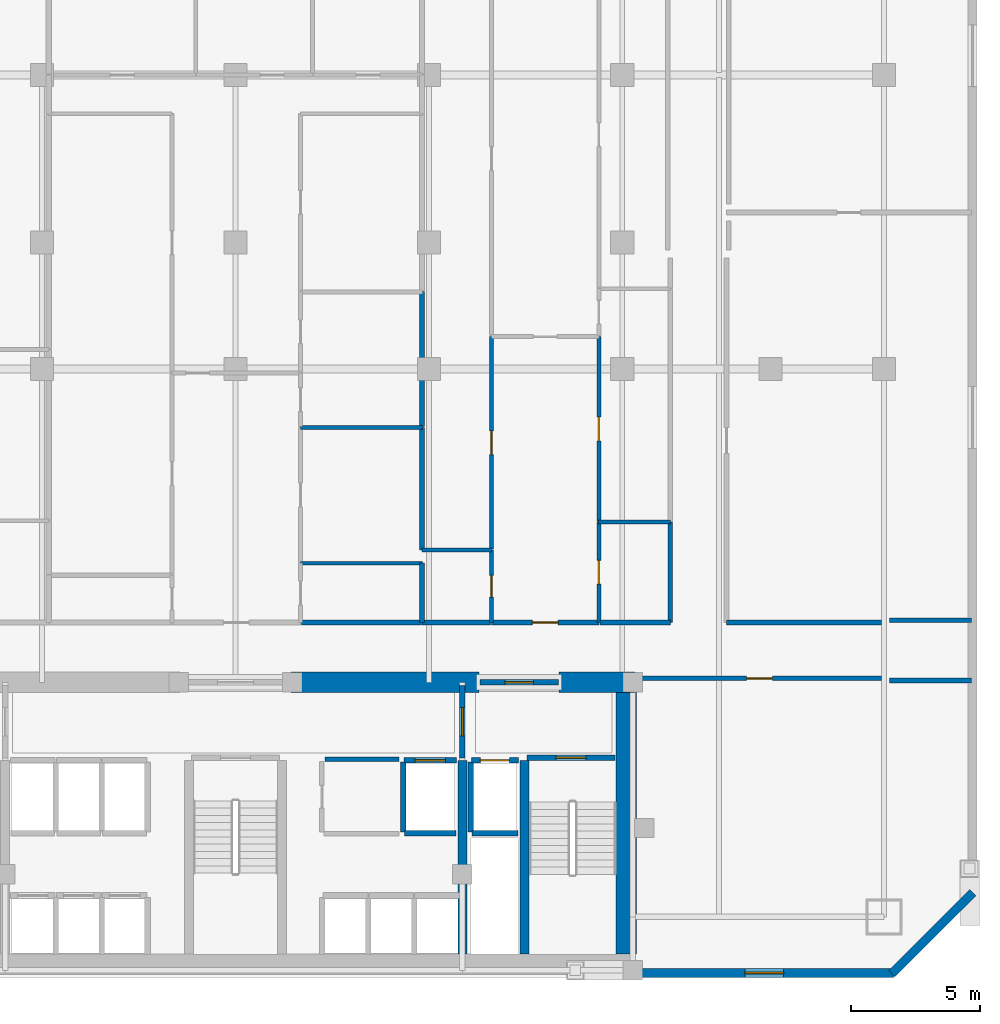
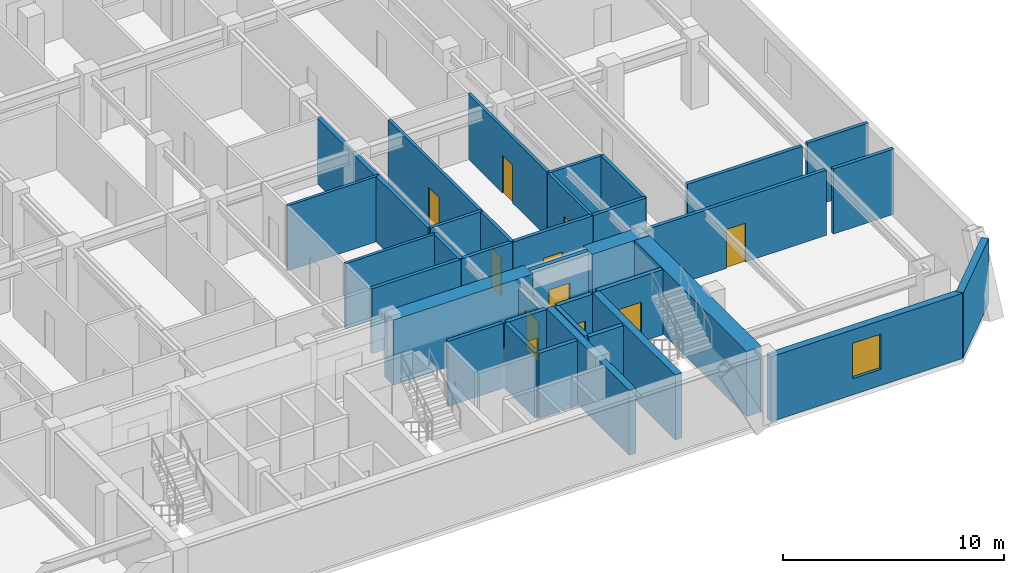
# One storey, part 5 of 10: 37 walls, 11 doors, 1 window, 12 openings.
"""IFC4 building model written with IfcOpenShell, lengths in metres."""

from ifc_helpers import new_model, si_unit, direction, frame, frame_2d, origin, place, context, subcontext, project, spatial, rectangle, extrude, material, layer, layer_set, type_object, element, fill, save


model = new_model("IFC4")

# Units and contexts
model_context = context("Model", 3, precision=1e-05, world=origin(), true_north=direction((0.0, 1.0)))
body_context = subcontext(model_context, "Body", "Model", "MODEL_VIEW")
ifc_project = project(units=[si_unit("LENGTHUNIT", "METRE"), si_unit("AREAUNIT", "SQUARE_METRE"), si_unit("VOLUMEUNIT", "CUBIC_METRE"), si_unit("PLANEANGLEUNIT", "RADIAN"), si_unit("MASSUNIT", "GRAM", prefix="KILO")], contexts=[model_context])

# Site, building, storey
site_placement = place(None, origin())
site = spatial("IfcSite", under=ifc_project, at=site_placement, CompositionType="ELEMENT")
building_placement = place(site_placement, origin())
building = spatial("IfcBuilding", under=site, at=building_placement, Name="Ventersveld Concourse Tower", CompositionType="ELEMENT")
storey_placement = place(building_placement, frame((0.0, 0.0, 60.60009765625)))
storey = spatial("IfcBuildingStorey", under=building, at=storey_placement, Name="L14", CompositionType="ELEMENT", Elevation=60.60009765625)

# Walls
ifc_material_1 = material(Name="Concrete C60/75", Category="concrete")
ifc_layer_1 = layer(ifc_material_1, 0.35009765625)
ifc_layer_set_1 = layer_set([ifc_layer_1], Name="Concrete C60/75")
wall_type_1 = type_object("IfcWallType", Name="WL-CORE-350L", PredefinedType="SHEAR", material=ifc_layer_set_1)
for number, where, z_axis, x_axis, name in (
    (1, (37.550048828125, 0.919921875, 0.0), (0.0, 0.0, 1.0), (0.0, 1.0, 0.0), "L14 Core Internal Shear Web W-SVL-W"),
    (2, (39.9599609375, 0.919921875, 0.0), (0.0, 0.0, 1.0), (0.0, 1.0, 0.0), "L14 Core Internal Shear Web W-ST2-W"),
):
    element("IfcWall", number, at=place(storey_placement, frame(where, z_axis=z_axis, x_axis=x_axis)), inside=storey, type_object=wall_type_1, Name=name, PredefinedType="SHEAR", context=body_context, shape_type="SweptSolid", body=[
        extrude(rectangle(XDim=7.5, YDim=0.35009765625, at=frame_2d((3.75, 0.0))), origin(), (0.0, 0.0, 1.0), 3.599853515625),
    ])
ifc_layer_2 = layer(ifc_material_1, 0.800048828125)
ifc_layer_set_2 = layer_set([ifc_layer_2], Name="Concrete C60/75")
wall_type_2 = type_object("IfcWallType", Name="WL-CORE-800", PredefinedType="SHEAR", material=ifc_layer_set_2)
wall_1_placement = place(storey_placement, frame((43.89990234375, 0.919921875, 0.0), z_axis=(0.0, 0.0, 1.0), x_axis=(0.0, 1.0, 0.0)))
element("IfcWall", 3, at=wall_1_placement, inside=storey, type_object=wall_type_2, Name="L14 Rear Core East Shear Wall", PredefinedType="SHEAR", context=body_context, shape_type="SweptSolid", body=[
    extrude(rectangle(XDim=10.530029296875, YDim=0.800048828125, at=frame_2d((5.26513671875, 0.0))), origin(), (0.0, 0.0, 1.0), 3.599853515625),
])
wall_2_placement = place(storey_placement, frame((30.89990234375, 11.449951171875, 0.0), z_axis=(0.0, 0.0, 1.0), x_axis=(1.0, 0.0, 0.0)))
element("IfcWall", 4, at=wall_2_placement, inside=storey, type_object=wall_type_2, Name="L14 Rear Core North Shear Wall NMR", PredefinedType="SHEAR", context=body_context, shape_type="SweptSolid", body=[
    extrude(rectangle(XDim=7.300048828125, YDim=0.800048828125, at=frame_2d((3.64990234375, 0.0))), origin(), (0.0, 0.0, 1.0), 3.599853515625),
])
wall_3_placement = place(storey_placement, frame((41.300048828125, 11.449951171875, 0.0), z_axis=(0.0, 0.0, 1.0), x_axis=(1.0, 0.0, 0.0)))
element("IfcWall", 5, at=wall_3_placement, inside=storey, type_object=wall_type_2, Name="L14 Rear Core North Shear Wall NE", PredefinedType="SHEAR", context=body_context, shape_type="SweptSolid", body=[
    extrude(rectangle(XDim=2.949951171875, YDim=0.800048828125, at=frame_2d((1.47509765625, 0.0))), origin(), (0.0, 0.0, 1.0), 3.599853515625),
])
ifc_material_2 = material(Name="Fire-rated autoclaved aerated masonry blockwork", Category="masonry")
ifc_layer_3 = layer(ifc_material_2, 0.179931640625)
ifc_layer_set_3 = layer_set([ifc_layer_3], Name="Fire-rated autoclaved aerated masonry blockwork")
wall_type_3 = type_object("IfcWallType", Name="WL-CORR-180", PredefinedType="PARTITIONING", material=ifc_layer_set_3)
wall_4_placement = place(storey_placement, frame((32.219970703125, 8.4599609375, 0.0), z_axis=(0.0, 0.0, 1.0), x_axis=(1.0, 0.0, 0.0)))
element("IfcWall", 6, at=wall_4_placement, inside=storey, type_object=wall_type_3, Name="L14 Core Top Wall SP-L14-CBAY1", PredefinedType="PARTITIONING", context=body_context, shape_type="SweptSolid", body=[
    extrude(rectangle(XDim=2.880126953125, YDim=0.179931640625, at=frame_2d((1.43994140625, 0.0))), origin(), (0.0, 0.0, 1.0), 3.599853515625),
])

# Wall, opening, door
wall_5_placement = place(storey_placement, frame((44.35498046875, 11.60009765625, 0.0), z_axis=(0.0, 0.0, 1.0), x_axis=(1.0, 0.0, 0.0)))
wall_5 = element("IfcWall", 7, at=wall_5_placement, inside=storey, type_object=wall_type_3, Name="L14 Interior Partition SP-L14-SE-OFF-SP-L14-COR", PredefinedType="PARTITIONING", context=body_context, shape_type="SweptSolid", body=[
    extrude(rectangle(XDim=9.43994140625, YDim=0.179931640625, at=frame_2d((4.719970703125, 0.0))), origin(), (0.0, 0.0, 1.0), 3.599853515625),
])
opening_1_placement = place(wall_5_placement, frame((4.219970703125, 0.0, 0.0)))
opening_1 = element("IfcOpeningElement", 8, at=opening_1_placement, cuts=wall_5, Name="Opening FD3", PredefinedType="OPENING", context=body_context, shape_type="SweptSolid", body=[
    extrude(rectangle(XDim=1.0, YDim=2.14990234375, at=frame_2d((0.5, 1.074951171875))), frame((0.0, 0.10009765625, 0.0), z_axis=(0.0, -1.0, 0.0), x_axis=(1.0, 0.0, 0.0)), (0.0, 0.0, 1.0), 0.199951171875),
])
ifc_material_3 = material(Name="Solid-core hardwood veneer timber", Category="wood")
door_type_1 = type_object("IfcDoorType", Name="DR-FLAT-100", OperationType="NOTDEFINED", PredefinedType="DOOR", material=ifc_material_3)
door_1_placement = place(opening_1_placement, origin())
door_1 = element("IfcDoor", 9, at=door_1_placement, inside=storey, type_object=door_type_1, Name="L14 Interior Door SP-L14-SE-OFF to SP-L14-COR (D-L14-0606)", OperationType="SINGLE_SWING_RIGHT", OverallHeight=2.14990234375, OverallWidth=1.0, PredefinedType="DOOR", context=body_context, shape_type="SweptSolid", body=[
    extrude(rectangle(XDim=1.0, YDim=2.14990234375, at=frame_2d((0.5, 1.074951171875))), frame((0.0, 0.02490234375, 0.0), z_axis=(0.0, -1.0, 0.0), x_axis=(1.0, 0.0, 0.0)), (0.0, 0.0, 1.0), 0.050048828125),
])
fill(opening_1, door_1)

# Wall
wall_6_placement = place(storey_placement, frame((47.784912109375, 13.77001953125, 0.0), z_axis=(0.0, 0.0, 1.0), x_axis=(1.0, 0.0, 0.0)))
element("IfcWall", 10, at=wall_6_placement, inside=storey, type_object=wall_type_3, Name="L14 Interior Partition SP-L14-COR-SP-L14-NELNG1", PredefinedType="PARTITIONING", context=body_context, shape_type="SweptSolid", body=[
    extrude(rectangle(XDim=6.010009765625, YDim=0.179931640625, at=frame_2d((3.0048828125, 0.0))), origin(), (0.0, 0.0, 1.0), 3.599853515625),
])

# Wall, opening, door
wall_7_placement = place(storey_placement, frame((38.674560546875, 13.77001953125, 0.0), z_axis=(0.0, 0.0, 1.0), x_axis=(1.0, 0.0, 0.0)))
wall_7 = element("IfcWall", 11, at=wall_7_placement, inside=storey, type_object=wall_type_3, Name="L14 Interior Partition SP-L14-COR-SP-L14-14CE-FOY", PredefinedType="PARTITIONING", context=body_context, shape_type="SweptSolid", body=[
    extrude(rectangle(XDim=4.17236328125, YDim=0.179931640625, at=frame_2d((2.086181640625, 0.0))), origin(), (0.0, 0.0, 1.0), 3.599853515625),
])
opening_2_placement = place(wall_7_placement, frame((1.586181640625, 0.0, 0.0)))
opening_2 = element("IfcOpeningElement", 12, at=opening_2_placement, cuts=wall_7, Name="Opening FD3", PredefinedType="OPENING", context=body_context, shape_type="SweptSolid", body=[
    extrude(rectangle(XDim=1.0, YDim=2.14990234375, at=frame_2d((0.5, 1.074951171875))), frame((0.0, 0.10009765625, 0.0), z_axis=(0.0, -1.0, 0.0), x_axis=(1.0, 0.0, 0.0)), (0.0, 0.0, 1.0), 0.199951171875),
])
door_2_placement = place(opening_2_placement, origin())
door_2 = element("IfcDoor", 13, at=door_2_placement, inside=storey, type_object=door_type_1, Name="L14 Interior Door SP-L14-COR to SP-L14-14CE-FOY (FD-L14-0610)", OperationType="SINGLE_SWING_RIGHT", OverallHeight=2.14990234375, OverallWidth=1.0, PredefinedType="DOOR", context=body_context, shape_type="SweptSolid", body=[
    extrude(rectangle(XDim=1.0, YDim=2.14990234375, at=frame_2d((0.5, 1.074951171875))), frame((0.0, 0.02490234375, 0.0), z_axis=(0.0, -1.0, 0.0), x_axis=(1.0, 0.0, 0.0)), (0.0, 0.0, 1.0), 0.050048828125),
])
fill(opening_2, door_2)

# Walls
wall_8_placement = place(storey_placement, frame((35.985107421875, 13.77001953125, 0.0), z_axis=(0.0, 0.0, 1.0), x_axis=(1.0, 0.0, 0.0)))
element("IfcWall", 14, at=wall_8_placement, inside=storey, type_object=wall_type_3, Name="L14 Interior Partition SP-L14-COR-SP-L14-14CE-BATH", PredefinedType="PARTITIONING", context=body_context, shape_type="SweptSolid", body=[
    extrude(rectangle(XDim=2.659423828125, YDim=0.179931640625, at=frame_2d((1.32958984375, 0.0))), origin(), (0.0, 0.0, 1.0), 3.599853515625),
])
wall_9_placement = place(storey_placement, frame((45.610107421875, 13.764892578125, 0.0), z_axis=(0.0, 0.0, 1.0), x_axis=(0.0, 1.0, 0.0)))
element("IfcWall", 15, at=wall_9_placement, inside=storey, type_object=wall_type_3, Name="L14 Interior Partition SP-L14-COR-SP-L14-14CE-KIT", PredefinedType="PARTITIONING", context=body_context, shape_type="SweptSolid", body=[
    extrude(rectangle(XDim=3.8994140625, YDim=0.179931640625, at=frame_2d((1.94970703125, 0.0))), origin(), (0.0, 0.0, 1.0), 3.599853515625),
])
wall_10_placement = place(storey_placement, frame((42.876953125, 13.77001953125, 0.0), z_axis=(0.0, 0.0, 1.0), x_axis=(1.0, 0.0, 0.0)))
element("IfcWall", 16, at=wall_10_placement, inside=storey, type_object=wall_type_3, Name="L14 Interior Partition SP-L14-COR-SP-L14-14CE-KIT", PredefinedType="PARTITIONING", context=body_context, shape_type="SweptSolid", body=[
    extrude(rectangle(XDim=2.738037109375, YDim=0.179931640625, at=frame_2d((1.369140625, 0.0))), origin(), (0.0, 0.0, 1.0), 3.599853515625),
])
wall_11_placement = place(storey_placement, frame((31.3046875, 13.77001953125, 0.0), z_axis=(0.0, 0.0, 1.0), x_axis=(1.0, 0.0, 0.0)))
element("IfcWall", 17, at=wall_11_placement, inside=storey, type_object=wall_type_3, Name="L14 Interior Partition SP-L14-COR-SP-L14-14CM-KIT", PredefinedType="PARTITIONING", context=body_context, shape_type="SweptSolid", body=[
    extrude(rectangle(XDim=4.650390625, YDim=0.179931640625, at=frame_2d((2.3251953125, 0.0))), origin(), (0.0, 0.0, 1.0), 3.599853515625),
])
wall_12_placement = place(storey_placement, frame((54.1123046875, 11.52001953125, 0.0), z_axis=(0.0, 0.0, 1.0), x_axis=(1.0, 0.0, 0.0)))
element("IfcWall", 18, at=wall_12_placement, inside=storey, type_object=wall_type_3, Name="L14 Room Enclosure Wall SP-L14-SE-OFF", PredefinedType="PARTITIONING", context=body_context, shape_type="SweptSolid", body=[
    extrude(rectangle(XDim=3.177734375, YDim=0.179931640625, at=frame_2d((1.5888671875, 0.0))), origin(), (0.0, 0.0, 1.0), 3.599853515625),
])
wall_13_placement = place(storey_placement, frame((57.2900390625, 13.860107421875, 0.0), z_axis=(0.0, 0.0, 1.0), x_axis=(-1.0, 0.0, 0.0)))
element("IfcWall", 19, at=wall_13_placement, inside=storey, type_object=wall_type_3, Name="L14 Room Enclosure Wall SP-L14-NELNG1", PredefinedType="PARTITIONING", context=body_context, shape_type="SweptSolid", body=[
    extrude(rectangle(XDim=3.18017578125, YDim=0.179931640625, at=frame_2d((1.590087890625, 0.0))), origin(), (0.0, 0.0, 1.0), 3.599853515625),
])
ifc_layer_4 = layer(ifc_material_2, 0.199951171875)
ifc_layer_set_4 = layer_set([ifc_layer_4], Name="Fire-rated autoclaved aerated masonry blockwork")
wall_type_4 = type_object("IfcWallType", Name="WL-DEMISE-200", PredefinedType="PARTITIONING", material=ifc_layer_set_4)
wall_14_placement = place(storey_placement, frame((35.989990234375, 13.764892578125, 0.0), z_axis=(0.0, 0.0, 1.0), x_axis=(0.0, 1.0, 0.0)))
element("IfcWall", 20, at=wall_14_placement, inside=storey, type_object=wall_type_4, Name="L14 Interior Partition SP-L14-14CE-BATH-SP-L14-14CM-KIT", PredefinedType="PARTITIONING", context=body_context, shape_type="SweptSolid", body=[
    extrude(rectangle(XDim=2.304443359375, YDim=0.199951171875, at=frame_2d((1.15234375, 0.0))), origin(), (0.0, 0.0, 1.0), 3.599853515625),
])
wall_15_placement = place(storey_placement, frame((35.989990234375, 16.574951171875, 0.0), z_axis=(0.0, 0.0, 1.0), x_axis=(0.0, 1.0, 0.0)))
element("IfcWall", 21, at=wall_15_placement, inside=storey, type_object=wall_type_4, Name="L14 Interior Partition SP-L14-14CE-OFFL0-SP-L14-14CM-DENR", PredefinedType="PARTITIONING", context=body_context, shape_type="SweptSolid", body=[
    extrude(rectangle(XDim=4.758056640625, YDim=0.199951171875, at=frame_2d((2.37890625, 0.0))), origin(), (0.0, 0.0, 1.0), 3.599853515625),
])
wall_16_placement = place(storey_placement, frame((35.989990234375, 21.363037109375, 0.0), z_axis=(0.0, 0.0, 1.0), x_axis=(0.0, 1.0, 0.0)))
element("IfcWall", 22, at=wall_16_placement, inside=storey, type_object=wall_type_4, Name="L14 Interior Partition SP-L14-14CE-OFFL0-SP-L14-14CM-DENS", PredefinedType="PARTITIONING", context=body_context, shape_type="SweptSolid", body=[
    extrude(rectangle(XDim=5.233642578125, YDim=0.199951171875, at=frame_2d((2.61669921875, 0.0))), origin(), (0.0, 0.0, 1.0), 3.599853515625),
])
ifc_layer_5 = layer(ifc_material_2, 0.219970703125)
ifc_layer_set_5 = layer_set([ifc_layer_5], Name="Fire-rated autoclaved aerated masonry blockwork")
wall_type_5 = type_object("IfcWallType", Name="WL-HOIST-220", PredefinedType="SOLIDWALL", material=ifc_layer_set_5)
wall_17_placement = place(storey_placement, frame((37.919921875, 5.590087890625, 0.0), z_axis=(0.0, 0.0, 1.0), x_axis=(1.0, 0.0, 0.0)))
element("IfcWall", 23, at=wall_17_placement, inside=storey, type_object=wall_type_5, Name="L14 Lift Hoistway Back Wall FFL-02", PredefinedType="SOLIDWALL", context=body_context, shape_type="SweptSolid", body=[
    extrude(rectangle(XDim=1.780029296875, YDim=0.219970703125, at=frame_2d((0.89013671875, 0.0))), origin(), (0.0, 0.0, 1.0), 3.599853515625),
])
wall_18_placement = place(storey_placement, frame((37.8798828125, 5.64990234375, 0.0), z_axis=(0.0, 0.0, 1.0), x_axis=(0.0, 1.0, 0.0)))
element("IfcWall", 24, at=wall_18_placement, inside=storey, type_object=wall_type_5, Name="L14 Lift Hoistway Side Wall FFL-02W", PredefinedType="SOLIDWALL", context=body_context, shape_type="SweptSolid", body=[
    extrude(rectangle(XDim=2.7001953125, YDim=0.219970703125, at=frame_2d((1.35009765625, 0.0))), origin(), (0.0, 0.0, 1.0), 3.599853515625),
])

# Wall, opening, door
wall_19_placement = place(storey_placement, frame((37.89990234375, 8.429931640625, 0.0), z_axis=(0.0, 0.0, 1.0), x_axis=(1.0, 0.0, 0.0)))
wall_19 = element("IfcWall", 25, at=wall_19_placement, inside=storey, type_object=wall_type_5, Name="L14 Lift Hoistway Front Wall FFL-02", PredefinedType="SOLIDWALL", context=body_context, shape_type="SweptSolid", body=[
    extrude(rectangle(XDim=1.820068359375, YDim=0.219970703125, at=frame_2d((0.91015625, 0.0))), origin(), (0.0, 0.0, 1.0), 3.599853515625),
])
opening_3_placement = place(wall_19_placement, frame((0.35009765625, 0.0, 0.0)))
opening_3 = element("IfcOpeningElement", 26, at=opening_3_placement, cuts=wall_19, Name="Opening LD1", PredefinedType="OPENING", context=body_context, shape_type="SweptSolid", body=[
    extrude(rectangle(XDim=1.1201171875, YDim=2.25, at=frame_2d((0.56005859375, 1.125))), frame((0.0, 0.1201171875, 0.0), z_axis=(0.0, -1.0, 0.0), x_axis=(1.0, 0.0, 0.0)), (0.0, 0.0, 1.0), 0.239990234375),
])
ifc_material_4 = material(Name="Brushed stainless steel 316", Category="steel")
door_type_2 = type_object("IfcDoorType", Name="LD-FF-112", OperationType="SLIDING_TO_LEFT", PredefinedType="DOOR", material=ifc_material_4)
door_3_placement = place(opening_3_placement, origin())
door_3 = element("IfcDoor", 27, at=door_3_placement, inside=storey, type_object=door_type_2, Name="L14 Lift landing door FFL-02 (LD-L14-FFL-02)", OperationType="SLIDING_TO_RIGHT", OverallHeight=2.25, OverallWidth=1.1201171875, PredefinedType="DOOR", context=body_context, shape_type="SweptSolid", body=[
    extrude(rectangle(XDim=1.1201171875, YDim=2.25, at=frame_2d((0.56005859375, 1.125))), frame((0.0, 0.02490234375, 0.0), z_axis=(0.0, -1.0, 0.0), x_axis=(1.0, 0.0, 0.0)), (0.0, 0.0, 1.0), 0.050048828125),
])
fill(opening_3, door_3)

# Walls
wall_20_placement = place(storey_placement, frame((35.300048828125, 5.590087890625, 0.0), z_axis=(0.0, 0.0, 1.0), x_axis=(1.0, 0.0, 0.0)))
element("IfcWall", 28, at=wall_20_placement, inside=storey, type_object=wall_type_5, Name="L14 Lift Hoistway Back Wall SVL-01", PredefinedType="SOLIDWALL", context=body_context, shape_type="SweptSolid", body=[
    extrude(rectangle(XDim=2.0, YDim=0.219970703125, at=frame_2d((1.0, 0.0))), origin(), (0.0, 0.0, 1.0), 3.599853515625),
])
wall_21_placement = place(storey_placement, frame((35.260009765625, 5.64990234375, 0.0), z_axis=(0.0, 0.0, 1.0), x_axis=(0.0, 1.0, 0.0)))
element("IfcWall", 29, at=wall_21_placement, inside=storey, type_object=wall_type_5, Name="L14 Lift Hoistway Side Wall SVL-01W", PredefinedType="SOLIDWALL", context=body_context, shape_type="SweptSolid", body=[
    extrude(rectangle(XDim=2.7001953125, YDim=0.219970703125, at=frame_2d((1.35009765625, 0.0))), origin(), (0.0, 0.0, 1.0), 3.599853515625),
])

# Wall, opening, door
wall_22_placement = place(storey_placement, frame((35.280029296875, 8.429931640625, 0.0), z_axis=(0.0, 0.0, 1.0), x_axis=(1.0, 0.0, 0.0)))
wall_22 = element("IfcWall", 30, at=wall_22_placement, inside=storey, type_object=wall_type_5, Name="L14 Lift Hoistway Front Wall SVL-01", PredefinedType="SOLIDWALL", context=body_context, shape_type="SweptSolid", body=[
    extrude(rectangle(XDim=2.0400390625, YDim=0.219970703125, at=frame_2d((1.02001953125, 0.0))), origin(), (0.0, 0.0, 1.0), 3.599853515625),
])
opening_4_placement = place(wall_22_placement, frame((0.429931640625, 0.0, 0.0)))
opening_4 = element("IfcOpeningElement", 31, at=opening_4_placement, cuts=wall_22, Name="Opening LD2", PredefinedType="OPENING", context=body_context, shape_type="SweptSolid", body=[
    extrude(rectangle(XDim=1.179931640625, YDim=2.199951171875, at=frame_2d((0.58984375, 1.10009765625))), frame((0.0, 0.1201171875, 0.0), z_axis=(0.0, -1.0, 0.0), x_axis=(1.0, 0.0, 0.0)), (0.0, 0.0, 1.0), 0.239990234375),
])
door_type_3 = type_object("IfcDoorType", Name="LD-PAX-118", OperationType="SLIDING_TO_LEFT", PredefinedType="DOOR", material=ifc_material_4)
door_4_placement = place(opening_4_placement, origin())
door_4 = element("IfcDoor", 32, at=door_4_placement, inside=storey, type_object=door_type_3, Name="L14 Lift landing door SVL-01 (LD-L14-SVL-01)", OperationType="SLIDING_TO_LEFT", OverallHeight=2.199951171875, OverallWidth=1.179931640625, PredefinedType="DOOR", context=body_context, shape_type="SweptSolid", body=[
    extrude(rectangle(XDim=1.179931640625, YDim=2.199951171875, at=frame_2d((0.58984375, 1.10009765625))), frame((0.0, 0.02490234375, 0.0), z_axis=(0.0, -1.0, 0.0), x_axis=(1.0, 0.0, 0.0)), (0.0, 0.0, 1.0), 0.050048828125),
])
fill(opening_4, door_4)

wall_23_placement = place(storey_placement, frame((40.06005859375, 8.52001953125, 0.0), z_axis=(0.0, 0.0, 1.0), x_axis=(1.0, 0.0, 0.0)))
wall_23 = element("IfcWall", 33, at=wall_23_placement, inside=storey, type_object=wall_type_5, Name="L14 Escape Stair ST02 Fire Wall", PredefinedType="SOLIDWALL", context=body_context, shape_type="SweptSolid", body=[
    extrude(rectangle(XDim=3.39990234375, YDim=0.219970703125, at=frame_2d((1.699951171875, 0.0))), origin(), (0.0, 0.0, 1.0), 3.599853515625),
])
opening_5_placement = place(wall_23_placement, frame((1.125, 0.0, 0.0)))
opening_5 = element("IfcOpeningElement", 34, at=opening_5_placement, cuts=wall_23, Name="Opening FD1", PredefinedType="OPENING", context=body_context, shape_type="SweptSolid", body=[
    extrude(rectangle(XDim=1.14990234375, YDim=2.199951171875, at=frame_2d((0.574951171875, 1.10009765625))), frame((0.0, 0.1201171875, 0.0), z_axis=(0.0, -1.0, 0.0), x_axis=(1.0, 0.0, 0.0)), (0.0, 0.0, 1.0), 0.239990234375),
])
ifc_material_5 = material(Name="Galvanised painted steel", Category="steel")
door_type_4 = type_object("IfcDoorType", Name="DR-STAIR-115", OperationType="NOTDEFINED", PredefinedType="DOOR", material=ifc_material_5)
door_5_placement = place(opening_5_placement, origin())
door_5 = element("IfcDoor", 35, at=door_5_placement, inside=storey, type_object=door_type_4, Name="L14 Escape Stair Door ST02 (SD-L14-0597)", OperationType="SINGLE_SWING_RIGHT", OverallHeight=2.199951171875, OverallWidth=1.14990234375, PredefinedType="DOOR", context=body_context, shape_type="SweptSolid", body=[
    extrude(rectangle(XDim=1.14990234375, YDim=2.199951171875, at=frame_2d((0.574951171875, 1.10009765625))), frame((0.0, 0.02490234375, 0.0), z_axis=(0.0, -1.0, 0.0), x_axis=(1.0, 0.0, 0.0)), (0.0, 0.0, 1.0), 0.050048828125),
])
fill(opening_5, door_5)

wall_24_placement = place(storey_placement, frame((37.550048828125, 8.52001953125, 0.0), z_axis=(0.0, 0.0, 1.0), x_axis=(0.0, 1.0, 0.0)))
wall_24 = element("IfcWall", 36, at=wall_24_placement, inside=storey, type_object=wall_type_5, Name="L14 Firefighting Lobby Smoke-Stop Wall FFLE-SEP", PredefinedType="SOLIDWALL", context=body_context, shape_type="SweptSolid", body=[
    extrude(rectangle(XDim=2.800048828125, YDim=0.219970703125, at=frame_2d((1.39990234375, 0.0))), origin(), (0.0, 0.0, 1.0), 3.055419921875),
])
opening_6_placement = place(wall_24_placement, frame((0.85009765625, 0.0, 0.0)))
opening_6 = element("IfcOpeningElement", 37, at=opening_6_placement, cuts=wall_24, Name="Opening FD2", PredefinedType="OPENING", context=body_context, shape_type="SweptSolid", body=[
    extrude(rectangle(XDim=1.10009765625, YDim=2.199951171875, at=frame_2d((0.550048828125, 1.10009765625))), frame((0.0, 0.1201171875, 0.0), z_axis=(0.0, -1.0, 0.0), x_axis=(1.0, 0.0, 0.0)), (0.0, 0.0, 1.0), 0.239990234375),
])
door_type_5 = type_object("IfcDoorType", Name="DR-FFL-110", OperationType="NOTDEFINED", PredefinedType="DOOR", material=ifc_material_5)
door_6_placement = place(opening_6_placement, origin())
door_6 = element("IfcDoor", 38, at=door_6_placement, inside=storey, type_object=door_type_5, Name="L14 Firefighting Lobby Door FFLE-SEP (FD-L14-0600)", OperationType="SINGLE_SWING_RIGHT", OverallHeight=2.199951171875, OverallWidth=1.10009765625, PredefinedType="DOOR", context=body_context, shape_type="SweptSolid", body=[
    extrude(rectangle(XDim=1.10009765625, YDim=2.199951171875, at=frame_2d((0.550048828125, 1.10009765625))), frame((0.0, 0.02490234375, 0.0), z_axis=(0.0, -1.0, 0.0), x_axis=(1.0, 0.0, 0.0)), (0.0, 0.0, 1.0), 0.050048828125),
])
fill(opening_6, door_6)

wall_25_placement = place(storey_placement, frame((38.22998046875, 11.449951171875, 0.0), z_axis=(0.0, 0.0, 1.0), x_axis=(1.0, 0.0, 0.0)))
wall_25 = element("IfcWall", 39, at=wall_25_placement, inside=storey, type_object=wall_type_5, Name="L14 Core North Fire Portal FFLE-OUT", PredefinedType="SOLIDWALL", context=body_context, shape_type="SweptSolid", body=[
    extrude(rectangle(XDim=3.0400390625, YDim=0.219970703125, at=frame_2d((1.52001953125, 0.0))), origin(), (0.0, 0.0, 1.0), 3.599853515625),
])
opening_7_placement = place(wall_25_placement, frame((0.969970703125, 0.0, 0.0)))
opening_7 = element("IfcOpeningElement", 40, at=opening_7_placement, cuts=wall_25, Name="Opening FD2", PredefinedType="OPENING", context=body_context, shape_type="SweptSolid", body=[
    extrude(rectangle(XDim=1.10009765625, YDim=2.199951171875, at=frame_2d((0.550048828125, 1.10009765625))), frame((0.0, 0.1201171875, 0.0), z_axis=(0.0, -1.0, 0.0), x_axis=(1.0, 0.0, 0.0)), (0.0, 0.0, 1.0), 0.239990234375),
])
door_7_placement = place(opening_7_placement, origin())
door_7 = element("IfcDoor", 41, at=door_7_placement, inside=storey, type_object=door_type_5, Name="L14 Core Lobby Fire Door FFLE-OUT (FD-L14-0603)", OperationType="SINGLE_SWING_LEFT", OverallHeight=2.199951171875, OverallWidth=1.10009765625, PredefinedType="DOOR", context=body_context, shape_type="SweptSolid", body=[
    extrude(rectangle(XDim=1.10009765625, YDim=2.199951171875, at=frame_2d((0.550048828125, 1.10009765625))), frame((0.0, 0.02490234375, 0.0), z_axis=(0.0, -1.0, 0.0), x_axis=(1.0, 0.0, 0.0)), (0.0, 0.0, 1.0), 0.050048828125),
])
fill(opening_7, door_7)

ifc_material_6 = material(Name="Autoclaved aerated masonry blockwork", Category="masonry")
ifc_layer_6 = layer(ifc_material_6, 0.14990234375)
ifc_layer_set_6 = layer_set([ifc_layer_6], Name="Autoclaved aerated masonry blockwork")
wall_type_6 = type_object("IfcWallType", Name="WL-INT-150", PredefinedType="PARTITIONING", material=ifc_layer_set_6)
wall_26_placement = place(storey_placement, frame((38.679443359375, 16.614990234375, 0.0), z_axis=(0.0, 0.0, 1.0), x_axis=(0.0, 1.0, 0.0)))
wall_26 = element("IfcWall", 42, at=wall_26_placement, inside=storey, type_object=wall_type_6, Name="L14 Interior Partition SP-L14-14CE-FOY-SP-L14-14CE-OFFL0", PredefinedType="PARTITIONING", context=body_context, shape_type="SweptSolid", body=[
    extrude(rectangle(XDim=8.243896484375, YDim=0.14990234375, at=frame_2d((4.1220703125, 0.0))), origin(), (0.0, 0.0, 1.0), 3.599853515625),
])
opening_8_placement = place(wall_26_placement, frame((3.661865234375, 0.0, 0.0)))
opening_8 = element("IfcOpeningElement", 43, at=opening_8_placement, cuts=wall_26, Name="Opening ID1", PredefinedType="OPENING", context=body_context, shape_type="SweptSolid", body=[
    extrude(rectangle(XDim=0.919921875, YDim=2.10009765625, at=frame_2d((0.4599609375, 1.050048828125))), frame((0.0, 0.0849609375, 0.0), z_axis=(0.0, -1.0, 0.0), x_axis=(1.0, 0.0, 0.0)), (0.0, 0.0, 1.0), 0.169921875),
])
door_type_6 = type_object("IfcDoorType", Name="DR-ROOM-092", OperationType="NOTDEFINED", PredefinedType="DOOR", material=ifc_material_3)
door_8_placement = place(opening_8_placement, origin())
door_8 = element("IfcDoor", 44, at=door_8_placement, inside=storey, type_object=door_type_6, Name="L14 Interior Door SP-L14-14CE-FOY to SP-L14-14CE-OFFL0 (D-L14-0625)", OperationType="SINGLE_SWING_LEFT", OverallHeight=2.10009765625, OverallWidth=0.919921875, PredefinedType="DOOR", context=body_context, shape_type="SweptSolid", body=[
    extrude(rectangle(XDim=0.919921875, YDim=2.10009765625, at=frame_2d((0.4599609375, 1.050048828125))), frame((0.0, 0.02490234375, 0.0), z_axis=(0.0, -1.0, 0.0), x_axis=(1.0, 0.0, 0.0)), (0.0, 0.0, 1.0), 0.050048828125),
])
fill(opening_8, door_8)

wall_27_placement = place(storey_placement, frame((42.841796875, 13.764892578125, 0.0), z_axis=(0.0, 0.0, 1.0), x_axis=(0.0, 1.0, 0.0)))
wall_27 = element("IfcWall", 45, at=wall_27_placement, inside=storey, type_object=wall_type_6, Name="L14 Interior Partition SP-L14-14CE-FOY-SP-L14-14CE-KIT", PredefinedType="PARTITIONING", context=body_context, shape_type="SweptSolid", body=[
    extrude(rectangle(XDim=3.8994140625, YDim=0.14990234375, at=frame_2d((1.94970703125, 0.0))), origin(), (0.0, 0.0, 1.0), 3.599853515625),
])
opening_9_placement = place(wall_27_placement, frame((1.48974609375, 0.0, 0.0)))
opening_9 = element("IfcOpeningElement", 46, at=opening_9_placement, cuts=wall_27, Name="Opening ID1", PredefinedType="OPENING", context=body_context, shape_type="SweptSolid", body=[
    extrude(rectangle(XDim=0.919921875, YDim=2.10009765625, at=frame_2d((0.4599609375, 1.050048828125))), frame((0.0, 0.0849609375, 0.0), z_axis=(0.0, -1.0, 0.0), x_axis=(1.0, 0.0, 0.0)), (0.0, 0.0, 1.0), 0.169921875),
])
door_9_placement = place(opening_9_placement, origin())
door_9 = element("IfcDoor", 47, at=door_9_placement, inside=storey, type_object=door_type_6, Name="L14 Interior Door SP-L14-14CE-FOY to SP-L14-14CE-KIT (D-L14-0626)", OperationType="SINGLE_SWING_RIGHT", OverallHeight=2.10009765625, OverallWidth=0.919921875, PredefinedType="DOOR", context=body_context, shape_type="SweptSolid", body=[
    extrude(rectangle(XDim=0.919921875, YDim=2.10009765625, at=frame_2d((0.4599609375, 1.050048828125))), frame((0.0, 0.02490234375, 0.0), z_axis=(0.0, -1.0, 0.0), x_axis=(1.0, 0.0, 0.0)), (0.0, 0.0, 1.0), 0.050048828125),
])
fill(opening_9, door_9)

wall_28_placement = place(storey_placement, frame((42.841796875, 17.6943359375, 0.0), z_axis=(0.0, 0.0, 1.0), x_axis=(0.0, 1.0, 0.0)))
wall_28 = element("IfcWall", 48, at=wall_28_placement, inside=storey, type_object=wall_type_6, Name="L14 Interior Partition SP-L14-14CE-FOY-SP-L14-14CE-DENR", PredefinedType="PARTITIONING", context=body_context, shape_type="SweptSolid", body=[
    extrude(rectangle(XDim=7.16455078125, YDim=0.14990234375, at=frame_2d((3.582275390625, 0.0))), origin(), (0.0, 0.0, 1.0), 3.599853515625),
])
opening_10_placement = place(wall_28_placement, frame((3.122314453125, 0.0, 0.0)))
opening_10 = element("IfcOpeningElement", 49, at=opening_10_placement, cuts=wall_28, Name="Opening ID1", PredefinedType="OPENING", context=body_context, shape_type="SweptSolid", body=[
    extrude(rectangle(XDim=0.919921875, YDim=2.10009765625, at=frame_2d((0.4599609375, 1.050048828125))), frame((0.0, 0.0849609375, 0.0), z_axis=(0.0, -1.0, 0.0), x_axis=(1.0, 0.0, 0.0)), (0.0, 0.0, 1.0), 0.169921875),
])
door_10_placement = place(opening_10_placement, origin())
door_10 = element("IfcDoor", 50, at=door_10_placement, inside=storey, type_object=door_type_6, Name="L14 Interior Door SP-L14-14CE-FOY to SP-L14-14CE-DENR (D-L14-0627)", OperationType="SINGLE_SWING_LEFT", OverallHeight=2.10009765625, OverallWidth=0.919921875, PredefinedType="DOOR", context=body_context, shape_type="SweptSolid", body=[
    extrude(rectangle(XDim=0.919921875, YDim=2.10009765625, at=frame_2d((0.4599609375, 1.050048828125))), frame((0.0, 0.02490234375, 0.0), z_axis=(0.0, -1.0, 0.0), x_axis=(1.0, 0.0, 0.0)), (0.0, 0.0, 1.0), 0.050048828125),
])
fill(opening_10, door_10)

# Walls
wall_29_placement = place(storey_placement, frame((42.8369140625, 17.6591796875, 0.0), z_axis=(0.0, 0.0, 1.0), x_axis=(1.0, 0.0, 0.0)))
element("IfcWall", 51, at=wall_29_placement, inside=storey, type_object=wall_type_6, Name="L14 Interior Partition SP-L14-14CE-KIT-SP-L14-14CE-DENR", PredefinedType="PARTITIONING", context=body_context, shape_type="SweptSolid", body=[
    extrude(rectangle(XDim=2.778076171875, YDim=0.14990234375, at=frame_2d((1.38916015625, 0.0))), origin(), (0.0, 0.0, 1.0), 3.599853515625),
])
for number, where, z_axis, x_axis, name in (
    (52, (31.2646484375, 16.064453125, 0.0), (0.0, 0.0, 1.0), (1.0, 0.0, 0.0), "L14 Interior Partition SP-L14-14CM-KIT-SP-L14-14CM-DENR"),
    (53, (31.2646484375, 21.328125, 0.0), (0.0, 0.0, 1.0), (1.0, 0.0, 0.0), "L14 Interior Partition SP-L14-14CM-DENR-SP-L14-14CM-DENS"),
):
    element("IfcWall", number, at=place(storey_placement, frame(where, z_axis=z_axis, x_axis=x_axis)), inside=storey, type_object=wall_type_6, Name=name, PredefinedType="PARTITIONING", context=body_context, shape_type="SweptSolid", body=[
        extrude(rectangle(XDim=4.73046875, YDim=0.14990234375, at=frame_2d((2.365234375, 0.0))), origin(), (0.0, 0.0, 1.0), 3.599853515625),
    ])

# Wall, opening, window
ifc_material_7 = material(Name="Precast concrete C45/55", Category="concrete")
ifc_layer_7 = layer(ifc_material_7, 0.35009765625)
ifc_layer_set_7 = layer_set([ifc_layer_7], Name="Precast concrete C45/55")
wall_type_7 = type_object("IfcWallType", Name="WL-PREC-350", PredefinedType="SOLIDWALL", material=ifc_layer_set_7)
wall_30_placement = place(storey_placement, frame((44.25, 0.179931640625, 0.0), z_axis=(0.0, 0.0, 1.0), x_axis=(1.0, 0.0, 0.0)))
wall_30 = element("IfcWall", 54, at=wall_30_placement, inside=storey, type_object=wall_type_7, Name="L14 South-East Flank Precast Wall", PredefinedType="SOLIDWALL", context=body_context, shape_type="SweptSolid", body=[
    extrude(rectangle(XDim=10.010009765625, YDim=0.35009765625, at=frame_2d((5.0048828125, 0.0))), origin(), (0.0, 0.0, 1.0), 3.599853515625),
])
opening_11_placement = place(wall_30_placement, frame((4.2548828125, 0.0, 0.89990234375)))
opening_11 = element("IfcOpeningElement", 55, at=opening_11_placement, cuts=wall_30, Name="Opening W1", PredefinedType="OPENING", context=body_context, shape_type="SweptSolid", body=[
    extrude(rectangle(XDim=1.5, YDim=1.949951171875, at=frame_2d((0.75, 0.97509765625))), frame((0.0, 0.18505859375, 0.0), z_axis=(0.0, -1.0, 0.0), x_axis=(1.0, 0.0, 0.0)), (0.0, 0.0, 1.0), 0.3701171875),
])
ifc_material_8 = material(Name="Tempered acoustic Low-E IGU", Category="glass")
window_type = type_object("IfcWindowType", Name="WIN-150x210", PartitioningType="SINGLE_PANEL", PredefinedType="WINDOW", material=ifc_material_8)
window_placement = place(opening_11_placement, origin())
window = element("IfcWindow", 56, at=window_placement, inside=storey, type_object=window_type, Name="L14 Punched Low-E Window W-0110", OverallHeight=1.949951171875, OverallWidth=1.5, PartitioningType="SINGLE_PANEL", PredefinedType="WINDOW", context=body_context, shape_type="SweptSolid", body=[
    extrude(rectangle(XDim=1.5, YDim=1.949951171875, at=frame_2d((0.75, 0.97509765625))), frame((0.0, 0.030029296875, 0.0), z_axis=(0.0, -1.0, 0.0), x_axis=(1.0, 0.0, 0.0)), (0.0, 0.0, 1.0), 0.06005859375),
])
fill(opening_11, window)

# Wall
wall_31_placement = place(storey_placement, frame((54.20458984375, 0.152099609375, 0.0), z_axis=(0.0, 0.0, 1.0), x_axis=(0.707106781187, 0.707106781187, 0.0)))
element("IfcWall", 57, at=wall_31_placement, inside=storey, type_object=wall_type_7, Name="L14 Highveld Precast Facade Wall E02", PredefinedType="SOLIDWALL", context=body_context, shape_type="SweptSolid", body=[
    extrude(rectangle(XDim=4.4453125, YDim=0.35009765625, at=frame_2d((2.22265625, 0.0))), origin(), (0.0, 0.0, 1.0), 3.599853515625),
])

# Wall, opening, door
ifc_layer_8 = layer(ifc_material_6, 0.1650390625)
ifc_layer_set_8 = layer_set([ifc_layer_8], Name="Autoclaved aerated masonry blockwork")
wall_type_8 = type_object("IfcWallType", Name="WL-WET-165", PredefinedType="PLUMBINGWALL", material=ifc_layer_set_8)
wall_32_placement = place(storey_placement, frame((38.679443359375, 13.764892578125, 0.0), z_axis=(0.0, 0.0, 1.0), x_axis=(0.0, 1.0, 0.0)))
wall_32 = element("IfcWall", 58, at=wall_32_placement, inside=storey, type_object=wall_type_8, Name="L14 Interior Partition SP-L14-14CE-FOY-SP-L14-14CE-BATH", PredefinedType="PLUMBINGWALL", context=body_context, shape_type="SweptSolid", body=[
    extrude(rectangle(XDim=2.820068359375, YDim=0.1650390625, at=frame_2d((1.41015625, 0.0))), origin(), (0.0, 0.0, 1.0), 3.599853515625),
])
opening_12_placement = place(wall_32_placement, frame((0.985107421875, 0.0, 0.0)))
opening_12 = element("IfcOpeningElement", 59, at=opening_12_placement, cuts=wall_32, Name="Opening ID2", PredefinedType="OPENING", context=body_context, shape_type="SweptSolid", body=[
    extrude(rectangle(XDim=0.85009765625, YDim=2.10009765625, at=frame_2d((0.425048828125, 1.050048828125))), frame((0.0, 0.092529296875, 0.0), z_axis=(0.0, -1.0, 0.0), x_axis=(1.0, 0.0, 0.0)), (0.0, 0.0, 1.0), 0.18505859375),
])
door_type_7 = type_object("IfcDoorType", Name="DR-BATH-085", OperationType="NOTDEFINED", PredefinedType="DOOR", material=ifc_material_3)
door_11_placement = place(opening_12_placement, origin())
door_11 = element("IfcDoor", 60, at=door_11_placement, inside=storey, type_object=door_type_7, Name="L14 Interior Door SP-L14-14CE-FOY to SP-L14-14CE-BATH (D-L14-0624)", OperationType="SINGLE_SWING_RIGHT", OverallHeight=2.10009765625, OverallWidth=0.85009765625, PredefinedType="DOOR", context=body_context, shape_type="SweptSolid", body=[
    extrude(rectangle(XDim=0.85009765625, YDim=2.10009765625, at=frame_2d((0.425048828125, 1.050048828125))), frame((0.0, 0.02490234375, 0.0), z_axis=(0.0, -1.0, 0.0), x_axis=(1.0, 0.0, 0.0)), (0.0, 0.0, 1.0), 0.050048828125),
])
fill(opening_12, door_11)

# Wall
wall_33_placement = place(storey_placement, frame((35.985107421875, 16.580078125, 0.0), z_axis=(0.0, 0.0, 1.0), x_axis=(1.0, 0.0, 0.0)))
element("IfcWall", 61, at=wall_33_placement, inside=storey, type_object=wall_type_8, Name="L14 Interior Partition SP-L14-14CE-BATH-SP-L14-14CE-OFFL0", PredefinedType="PLUMBINGWALL", context=body_context, shape_type="SweptSolid", body=[
    extrude(rectangle(XDim=2.699462890625, YDim=0.1650390625, at=frame_2d((1.349609375, 0.0))), origin(), (0.0, 0.0, 1.0), 3.599853515625),
])

save(model, "model.ifc")
